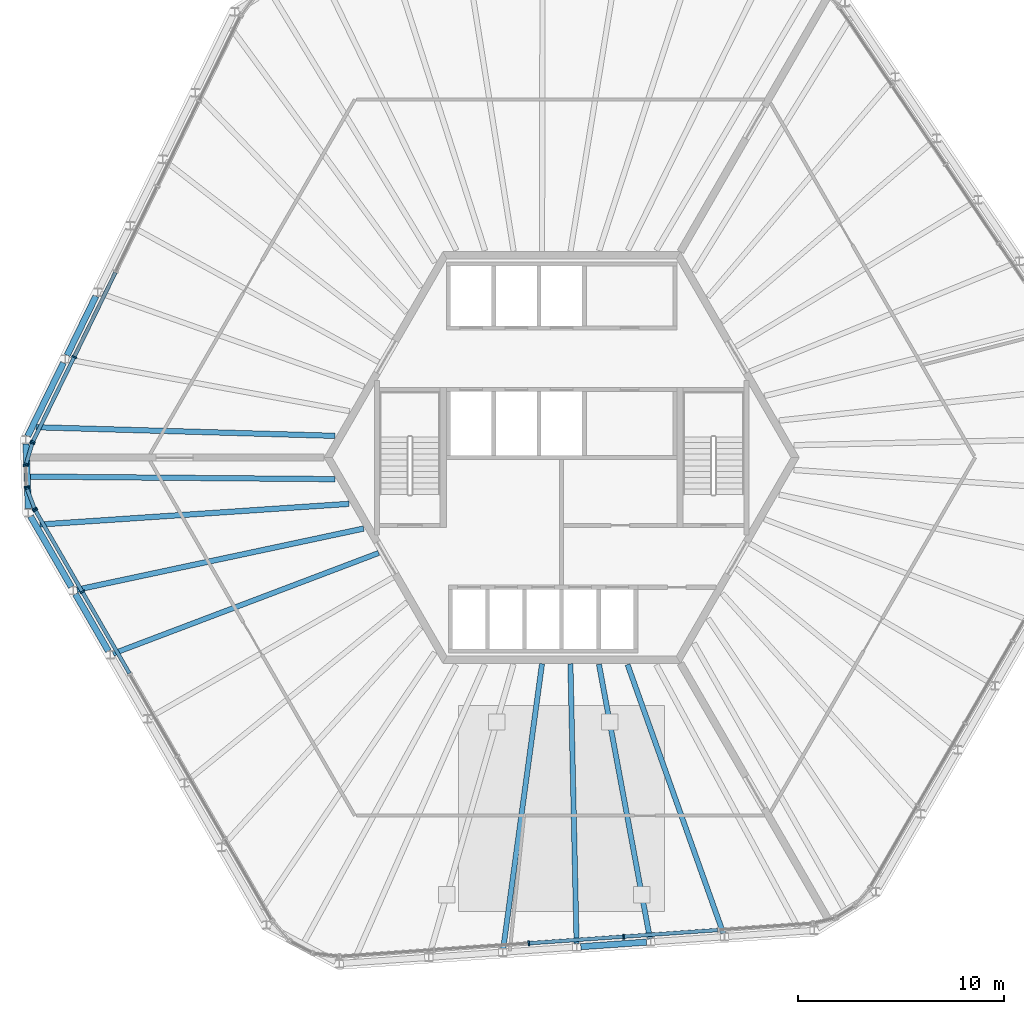
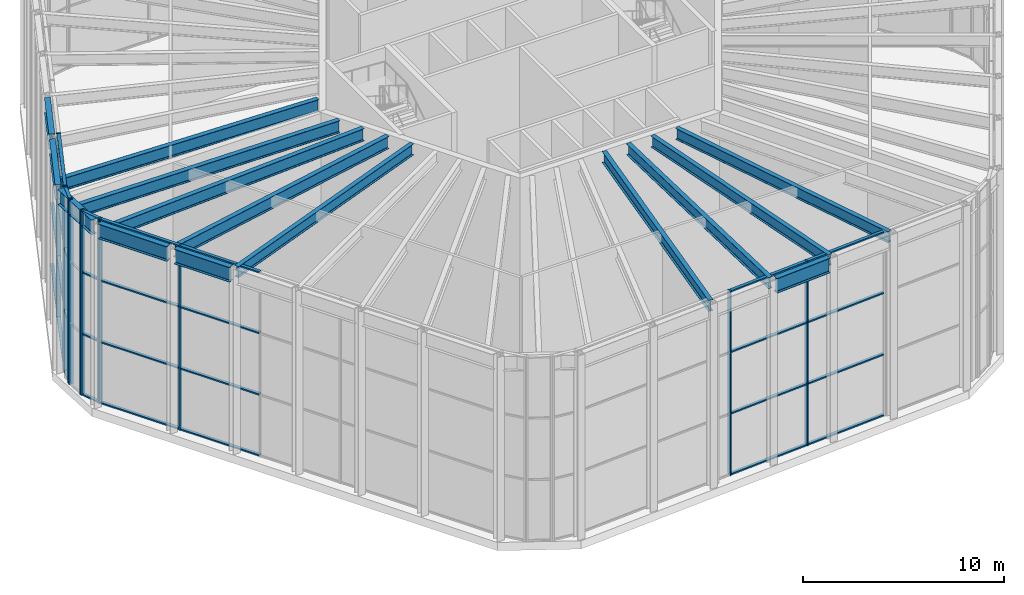
# One storey, part 3 of 17: 42 members, 15 beams, 6 elements without a shape of their own.
"""IFC4 building model written with IfcOpenShell, lengths in metres."""

from ifc_helpers import new_model, si_unit, direction, frame, origin, origin_2d, place, context, subcontext, project, spatial, rectangle, i_section, extrude, material, material_profile, profile_set, type_object, element, aggregate, save


model = new_model("IFC4")

# Units and contexts
model_context = context("Model", 3, precision=1e-05, world=origin(), true_north=direction((0.0, 1.0)))
body_context = subcontext(model_context, "Body", "Model", "MODEL_VIEW")
ifc_project = project(units=[si_unit("LENGTHUNIT", "METRE"), si_unit("AREAUNIT", "SQUARE_METRE"), si_unit("VOLUMEUNIT", "CUBIC_METRE"), si_unit("PLANEANGLEUNIT", "RADIAN"), si_unit("MASSUNIT", "GRAM", prefix="KILO")], contexts=[model_context])

# Site, building, storey
site_placement = place(None, origin())
site = spatial("IfcSite", under=ifc_project, at=site_placement, CompositionType="ELEMENT")
building_placement = place(site_placement, origin())
building = spatial("IfcBuilding", under=site, at=building_placement, Name="Tarnside Tower", CompositionType="ELEMENT")
storey_placement = place(building_placement, frame((0.0, 0.0, 376.800048828125)))
storey = spatial("IfcBuildingStorey", under=building, at=storey_placement, Name="L91", CompositionType="ELEMENT", Elevation=376.800048828125)

# Curtain wall, members
ifc_material_1 = material(Name="Damper hall glazing wall", Category="glass")
curtain_wall_type = type_object("IfcCurtainWallType", Name="Damper hall glazing wall", PredefinedType="NOTDEFINED", material=ifc_material_1)
curtain_wall_1_placement = place(storey_placement, origin())
curtain_wall_1 = element("IfcCurtainWall", 1, at=curtain_wall_1_placement, inside=storey, type_object=curtain_wall_type, Name="Damper hall glazing L91 12", PredefinedType="NOTDEFINED")
ifc_material_2 = material(Name="Aluminium alloy 6063", Category="aluminium")
ifc_material_profile_1 = material_profile(ifc_material_2, rectangle(XDim=0.239990234375, YDim=0.080078125, at=origin_2d()), Name="Damper hall glazing mullion 80 x 240")
ifc_profile_set_1 = profile_set([ifc_material_profile_1], Name="Aluminium alloy 6063")
member_type_1 = type_object("IfcMemberType", Name="Damper hall glazing mullion 80 x 240", PredefinedType="MULLION", material=ifc_profile_set_1)
member_1_placement = place(storey_placement, frame((3.008544921875, -23.27685546875, 0.0), z_axis=(0.0, 0.0, 1.0), x_axis=(0.069756473744, -0.99756405026, 0.0)))
member_1 = element("IfcMember", 2, at=member_1_placement, type_object=member_type_1, Name="CW5 mullion 3", PredefinedType="MULLION", context=body_context, shape_type="SweptSolid", body=[
    extrude(rectangle(XDim=0.239990234375, YDim=0.080078125, at=origin_2d()), origin(), (0.0, 0.0, 1.0), 11.199951171875),
])
member_2_placement = place(storey_placement, frame((-1.594482421875, -23.5986328125, 0.0), z_axis=(0.0, 0.0, 1.0), x_axis=(0.069756473744, -0.99756405026, 0.0)))
member_2 = element("IfcMember", 3, at=member_2_placement, type_object=member_type_1, Name="CW5 mullion 4", PredefinedType="MULLION", context=body_context, shape_type="SweptSolid", body=[
    extrude(rectangle(XDim=0.239990234375, YDim=0.080078125, at=origin_2d()), origin(), (0.0, 0.0, 1.0), 11.199951171875),
])

curtain_wall_2_placement = place(storey_placement, origin())
curtain_wall_2 = element("IfcCurtainWall", 4, at=curtain_wall_2_placement, inside=storey, type_object=curtain_wall_type, Name="Damper hall glazing L91 16", PredefinedType="NOTDEFINED")
member_3_placement = place(storey_placement, frame((-23.286865234375, -6.52587890625, 0.0), z_axis=(0.0, 0.0, 1.0), x_axis=(-0.866025403767, -0.50000000003, 0.0)))
member_3 = element("IfcMember", 5, at=member_3_placement, type_object=member_type_1, Name="CW5 mullion 5", PredefinedType="MULLION", context=body_context, shape_type="SweptSolid", body=[
    extrude(rectangle(XDim=0.239990234375, YDim=0.080078125, at=origin_2d()), origin(), (0.0, 0.0, 1.0), 11.199951171875),
])
member_4_placement = place(storey_placement, frame((-25.573974609375, -2.564453125, 0.0), z_axis=(0.0, 0.0, 1.0), x_axis=(-0.866025403767, -0.50000000003, 0.0)))
member_4 = element("IfcMember", 6, at=member_4_placement, type_object=member_type_1, Name="CW5 mullion 6", PredefinedType="MULLION", context=body_context, shape_type="SweptSolid", body=[
    extrude(rectangle(XDim=0.239990234375, YDim=0.080078125, at=origin_2d()), origin(), (0.0, 0.0, 1.0), 11.199951171875),
])

curtain_wall_3_placement = place(storey_placement, origin())
curtain_wall_3 = element("IfcCurtainWall", 7, at=curtain_wall_3_placement, inside=storey, type_object=curtain_wall_type, Name="Damper hall glazing L91 17", PredefinedType="NOTDEFINED")
member_5_placement = place(storey_placement, frame((-25.608154296875, -2.492431640625, 0.0), z_axis=(0.0, 0.0, 1.0), x_axis=(-0.935649515961, -0.352930564393, 0.0)))
member_5 = element("IfcMember", 8, at=member_5_placement, type_object=member_type_1, Name="CW5 mullion 1", PredefinedType="MULLION", context=body_context, shape_type="SweptSolid", body=[
    extrude(rectangle(XDim=0.239990234375, YDim=0.080078125, at=origin_2d()), origin(), (0.0, 0.0, 1.0), 11.199951171875),
])
member_6_placement = place(storey_placement, frame((-25.982177734375, -1.5009765625, 0.0), z_axis=(0.0, 0.0, 1.0), x_axis=(-0.935649515961, -0.352930564393, 0.0)))
member_6 = element("IfcMember", 9, at=member_6_placement, type_object=member_type_1, Name="CW5 mullion 2", PredefinedType="MULLION", context=body_context, shape_type="SweptSolid", body=[
    extrude(rectangle(XDim=0.239990234375, YDim=0.080078125, at=origin_2d()), origin(), (0.0, 0.0, 1.0), 11.199951171875),
])

curtain_wall_4_placement = place(storey_placement, origin())
curtain_wall_4 = element("IfcCurtainWall", 10, at=curtain_wall_4_placement, inside=storey, type_object=curtain_wall_type, Name="Damper hall glazing L91 18", PredefinedType="NOTDEFINED")
member_7_placement = place(storey_placement, frame((-25.99755859375, -1.423583984375, 0.0), z_axis=(0.0, 0.0, 1.0), x_axis=(-0.999390827014, -0.034899496842, 0.0)))
member_7 = element("IfcMember", 11, at=member_7_placement, type_object=member_type_1, Name="CW5 mullion 1", PredefinedType="MULLION", context=body_context, shape_type="SweptSolid", body=[
    extrude(rectangle(XDim=0.239990234375, YDim=0.080078125, at=origin_2d()), origin(), (0.0, 0.0, 1.0), 11.199951171875),
])
member_8_placement = place(storey_placement, frame((-26.033447265625, -0.393310546875, 0.0), z_axis=(0.0, 0.0, 1.0), x_axis=(-0.999390827014, -0.034899496842, 0.0)))
member_8 = element("IfcMember", 12, at=member_8_placement, type_object=member_type_1, Name="CW5 mullion 2", PredefinedType="MULLION", context=body_context, shape_type="SweptSolid", body=[
    extrude(rectangle(XDim=0.239990234375, YDim=0.080078125, at=origin_2d()), origin(), (0.0, 0.0, 1.0), 11.199951171875),
])
aggregate(curtain_wall_4, [member_7, member_8])

curtain_wall_5_placement = place(storey_placement, origin())
curtain_wall_5 = element("IfcCurtainWall", 13, at=curtain_wall_5_placement, inside=storey, type_object=curtain_wall_type, Name="Damper hall glazing L91 19", PredefinedType="NOTDEFINED")
member_9_placement = place(storey_placement, frame((-26.0234375, -0.31494140625, 0.0), z_axis=(0.0, 0.0, 1.0), x_axis=(-0.957989512314, 0.286803232717, 0.0)))
member_9 = element("IfcMember", 14, at=member_9_placement, type_object=member_type_1, Name="CW5 mullion 1", PredefinedType="MULLION", context=body_context, shape_type="SweptSolid", body=[
    extrude(rectangle(XDim=0.239990234375, YDim=0.080078125, at=origin_2d()), origin(), (0.0, 0.0, 1.0), 11.199951171875),
])
member_10_placement = place(storey_placement, frame((-25.719482421875, 0.7001953125, 0.0), z_axis=(0.0, 0.0, 1.0), x_axis=(-0.957989512314, 0.286803232717, 0.0)))
member_10 = element("IfcMember", 15, at=member_10_placement, type_object=member_type_1, Name="CW5 mullion 2", PredefinedType="MULLION", context=body_context, shape_type="SweptSolid", body=[
    extrude(rectangle(XDim=0.239990234375, YDim=0.080078125, at=origin_2d()), origin(), (0.0, 0.0, 1.0), 11.199951171875),
])

curtain_wall_6_placement = place(storey_placement, origin())
curtain_wall_6 = element("IfcCurtainWall", 16, at=curtain_wall_6_placement, inside=storey, type_object=curtain_wall_type, Name="Damper hall glazing L91 20", PredefinedType="NOTDEFINED")
member_11_placement = place(storey_placement, frame((-25.690673828125, 0.7744140625, 0.0), z_axis=(0.0, 0.0, 1.0), x_axis=(-0.898794046299, 0.438371146789, 0.0)))
member_11 = element("IfcMember", 17, at=member_11_placement, type_object=member_type_1, Name="CW5 mullion 1", PredefinedType="MULLION", context=body_context, shape_type="SweptSolid", body=[
    extrude(rectangle(XDim=0.239990234375, YDim=0.080078125, at=origin_2d()), origin(), (0.0, 0.0, 1.0), 11.199951171875),
])
member_12_placement = place(storey_placement, frame((-23.685302734375, 4.8857421875, 0.0), z_axis=(0.0, 0.0, 1.0), x_axis=(-0.898794046299, 0.438371146789, 0.0)))
member_12 = element("IfcMember", 18, at=member_12_placement, type_object=member_type_1, Name="CW5 mullion 2", PredefinedType="MULLION", context=body_context, shape_type="SweptSolid", body=[
    extrude(rectangle(XDim=0.239990234375, YDim=0.080078125, at=origin_2d()), origin(), (0.0, 0.0, 1.0), 11.199951171875),
])

# Member
ifc_material_profile_2 = material_profile(ifc_material_2, rectangle(XDim=0.179931640625, YDim=0.080078125, at=origin_2d()), Name="Damper hall glazing transom 80 x 180")
ifc_profile_set_2 = profile_set([ifc_material_profile_2], Name="Aluminium alloy 6063")
member_type_2 = type_object("IfcMemberType", Name="Damper hall glazing transom 80 x 180", PredefinedType="USERDEFINED", material=ifc_profile_set_2)
member_13_placement = place(storey_placement, frame((7.57177734375, -22.957763671875, 0.0400390625), z_axis=(-0.997566050815, -0.069727858574, 0.0), x_axis=(0.069727858574, -0.997566050815, 0.0)))
member_13 = element("IfcMember", 19, at=member_13_placement, type_object=member_type_2, Name="CW5 transom 2.1", ObjectType="TRANSOM", PredefinedType="USERDEFINED", context=body_context, shape_type="SweptSolid", body=[
    extrude(rectangle(XDim=0.179931640625, YDim=0.080078125, at=origin_2d()), origin(), (0.0, 0.0, 1.0), 4.5341796875),
])

member_14_placement = place(storey_placement, frame((7.57177734375, -22.957763671875, 3.733154296875), z_axis=(-0.997566050815, -0.069727858574, 0.0), x_axis=(0.069727858574, -0.997566050815, 0.0)))
member_14 = element("IfcMember", 20, at=member_14_placement, type_object=member_type_2, Name="CW5 transom 2.2", ObjectType="TRANSOM", PredefinedType="USERDEFINED", context=body_context, shape_type="SweptSolid", body=[
    extrude(rectangle(XDim=0.179931640625, YDim=0.080078125, at=origin_2d()), origin(), (0.0, 0.0, 1.0), 4.5341796875),
])

member_15_placement = place(storey_placement, frame((7.57177734375, -22.957763671875, 7.466552734375), z_axis=(-0.997566050815, -0.069727858574, 0.0), x_axis=(0.069727858574, -0.997566050815, 0.0)))
member_15 = element("IfcMember", 21, at=member_15_placement, type_object=member_type_2, Name="CW5 transom 2.3", ObjectType="TRANSOM", PredefinedType="USERDEFINED", context=body_context, shape_type="SweptSolid", body=[
    extrude(rectangle(XDim=0.179931640625, YDim=0.080078125, at=origin_2d()), origin(), (0.0, 0.0, 1.0), 4.5341796875),
])

member_16_placement = place(storey_placement, frame((7.57177734375, -22.957763671875, 11.159912109375), z_axis=(-0.997566050815, -0.069727858574, 0.0), x_axis=(0.069727858574, -0.997566050815, 0.0)))
member_16 = element("IfcMember", 22, at=member_16_placement, type_object=member_type_2, Name="CW5 transom 2.4", ObjectType="TRANSOM", PredefinedType="USERDEFINED", context=body_context, shape_type="SweptSolid", body=[
    extrude(rectangle(XDim=0.179931640625, YDim=0.080078125, at=origin_2d()), origin(), (0.0, 0.0, 1.0), 4.5341796875),
])

member_17_placement = place(storey_placement, frame((2.96875, -23.279541015625, 0.0400390625), z_axis=(-0.997562304108, -0.069781440391, 0.0), x_axis=(0.069781440391, -0.997562304108, 0.0)))
member_17 = element("IfcMember", 23, at=member_17_placement, type_object=member_type_2, Name="CW5 transom 3.1", ObjectType="TRANSOM", PredefinedType="USERDEFINED", context=body_context, shape_type="SweptSolid", body=[
    extrude(rectangle(XDim=0.179931640625, YDim=0.080078125, at=origin_2d()), origin(), (0.0, 0.0, 1.0), 4.5341796875),
])

member_18_placement = place(storey_placement, frame((2.96875, -23.279541015625, 3.733154296875), z_axis=(-0.997562304108, -0.069781440391, 0.0), x_axis=(0.069781440391, -0.997562304108, 0.0)))
member_18 = element("IfcMember", 24, at=member_18_placement, type_object=member_type_2, Name="CW5 transom 3.2", ObjectType="TRANSOM", PredefinedType="USERDEFINED", context=body_context, shape_type="SweptSolid", body=[
    extrude(rectangle(XDim=0.179931640625, YDim=0.080078125, at=origin_2d()), origin(), (0.0, 0.0, 1.0), 4.5341796875),
])

member_19_placement = place(storey_placement, frame((2.96875, -23.279541015625, 7.466552734375), z_axis=(-0.997562304108, -0.069781440391, 0.0), x_axis=(0.069781440391, -0.997562304108, 0.0)))
member_19 = element("IfcMember", 25, at=member_19_placement, type_object=member_type_2, Name="CW5 transom 3.3", ObjectType="TRANSOM", PredefinedType="USERDEFINED", context=body_context, shape_type="SweptSolid", body=[
    extrude(rectangle(XDim=0.179931640625, YDim=0.080078125, at=origin_2d()), origin(), (0.0, 0.0, 1.0), 4.5341796875),
])

member_20_placement = place(storey_placement, frame((2.96875, -23.279541015625, 11.159912109375), z_axis=(-0.997562304108, -0.069781440391, 0.0), x_axis=(0.069781440391, -0.997562304108, 0.0)))
member_20 = element("IfcMember", 26, at=member_20_placement, type_object=member_type_2, Name="CW5 transom 3.4", ObjectType="TRANSOM", PredefinedType="USERDEFINED", context=body_context, shape_type="SweptSolid", body=[
    extrude(rectangle(XDim=0.179931640625, YDim=0.080078125, at=origin_2d()), origin(), (0.0, 0.0, 1.0), 4.5341796875),
])

aggregate(curtain_wall_1, [member_1, member_2, member_13, member_14, member_15, member_16, member_17, member_18, member_19, member_20])

member_21_placement = place(storey_placement, frame((-20.999755859375, -10.4873046875, 0.0400390625), z_axis=(-0.499995891842, 0.866027775618, 0.0), x_axis=(-0.866027775618, -0.499995891842, 0.0)))
member_21 = element("IfcMember", 27, at=member_21_placement, type_object=member_type_2, Name="CW5 transom 4.1", ObjectType="TRANSOM", PredefinedType="USERDEFINED", context=body_context, shape_type="SweptSolid", body=[
    extrude(rectangle(XDim=0.179931640625, YDim=0.080078125, at=origin_2d()), origin(), (0.0, 0.0, 1.0), 4.5341796875),
])

member_22_placement = place(storey_placement, frame((-20.999755859375, -10.4873046875, 3.733154296875), z_axis=(-0.499995891842, 0.866027775618, 0.0), x_axis=(-0.866027775618, -0.499995891842, 0.0)))
member_22 = element("IfcMember", 28, at=member_22_placement, type_object=member_type_2, Name="CW5 transom 4.2", ObjectType="TRANSOM", PredefinedType="USERDEFINED", context=body_context, shape_type="SweptSolid", body=[
    extrude(rectangle(XDim=0.179931640625, YDim=0.080078125, at=origin_2d()), origin(), (0.0, 0.0, 1.0), 4.5341796875),
])

member_23_placement = place(storey_placement, frame((-20.999755859375, -10.4873046875, 7.466552734375), z_axis=(-0.499995891842, 0.866027775618, 0.0), x_axis=(-0.866027775618, -0.499995891842, 0.0)))
member_23 = element("IfcMember", 29, at=member_23_placement, type_object=member_type_2, Name="CW5 transom 4.3", ObjectType="TRANSOM", PredefinedType="USERDEFINED", context=body_context, shape_type="SweptSolid", body=[
    extrude(rectangle(XDim=0.179931640625, YDim=0.080078125, at=origin_2d()), origin(), (0.0, 0.0, 1.0), 4.5341796875),
])

member_24_placement = place(storey_placement, frame((-20.999755859375, -10.4873046875, 11.159912109375), z_axis=(-0.499995891842, 0.866027775618, 0.0), x_axis=(-0.866027775618, -0.499995891842, 0.0)))
member_24 = element("IfcMember", 30, at=member_24_placement, type_object=member_type_2, Name="CW5 transom 4.4", ObjectType="TRANSOM", PredefinedType="USERDEFINED", context=body_context, shape_type="SweptSolid", body=[
    extrude(rectangle(XDim=0.179931640625, YDim=0.080078125, at=origin_2d()), origin(), (0.0, 0.0, 1.0), 4.5341796875),
])

member_25_placement = place(storey_placement, frame((-23.306884765625, -6.4912109375, 0.0400390625), z_axis=(-0.499995192696, 0.866028179265, 0.0), x_axis=(-0.866028179265, -0.499995192696, 0.0)))
member_25 = element("IfcMember", 31, at=member_25_placement, type_object=member_type_2, Name="CW5 transom 5.1", ObjectType="TRANSOM", PredefinedType="USERDEFINED", context=body_context, shape_type="SweptSolid", body=[
    extrude(rectangle(XDim=0.179931640625, YDim=0.080078125, at=origin_2d()), origin(), (0.0, 0.0, 1.0), 4.494140625),
])

member_26_placement = place(storey_placement, frame((-23.306884765625, -6.4912109375, 3.733154296875), z_axis=(-0.499995192696, 0.866028179265, 0.0), x_axis=(-0.866028179265, -0.499995192696, 0.0)))
member_26 = element("IfcMember", 32, at=member_26_placement, type_object=member_type_2, Name="CW5 transom 5.2", ObjectType="TRANSOM", PredefinedType="USERDEFINED", context=body_context, shape_type="SweptSolid", body=[
    extrude(rectangle(XDim=0.179931640625, YDim=0.080078125, at=origin_2d()), origin(), (0.0, 0.0, 1.0), 4.494140625),
])

member_27_placement = place(storey_placement, frame((-23.306884765625, -6.4912109375, 7.466552734375), z_axis=(-0.499995192696, 0.866028179265, 0.0), x_axis=(-0.866028179265, -0.499995192696, 0.0)))
member_27 = element("IfcMember", 33, at=member_27_placement, type_object=member_type_2, Name="CW5 transom 5.3", ObjectType="TRANSOM", PredefinedType="USERDEFINED", context=body_context, shape_type="SweptSolid", body=[
    extrude(rectangle(XDim=0.179931640625, YDim=0.080078125, at=origin_2d()), origin(), (0.0, 0.0, 1.0), 4.494140625),
])

member_28_placement = place(storey_placement, frame((-23.306884765625, -6.4912109375, 11.159912109375), z_axis=(-0.499995192696, 0.866028179265, 0.0), x_axis=(-0.866028179265, -0.499995192696, 0.0)))
member_28 = element("IfcMember", 34, at=member_28_placement, type_object=member_type_2, Name="CW5 transom 5.4", ObjectType="TRANSOM", PredefinedType="USERDEFINED", context=body_context, shape_type="SweptSolid", body=[
    extrude(rectangle(XDim=0.179931640625, YDim=0.080078125, at=origin_2d()), origin(), (0.0, 0.0, 1.0), 4.494140625),
])

aggregate(curtain_wall_2, [member_3, member_4, member_21, member_22, member_23, member_24, member_25, member_26, member_27, member_28])

member_29_placement = place(storey_placement, frame((-25.622314453125, -2.455078125, 0.0400390625), z_axis=(-0.352925521589, 0.93565141811, 0.0), x_axis=(-0.93565141811, -0.352925521589, 0.0)))
member_29 = element("IfcMember", 35, at=member_29_placement, type_object=member_type_2, Name="CW5 transom 1.1", ObjectType="TRANSOM", PredefinedType="USERDEFINED", context=body_context, shape_type="SweptSolid", body=[
    extrude(rectangle(XDim=0.179931640625, YDim=0.080078125, at=origin_2d()), origin(), (0.0, 0.0, 1.0), 0.9794921875),
])

member_30_placement = place(storey_placement, frame((-25.622314453125, -2.455078125, 3.733154296875), z_axis=(-0.352925521589, 0.93565141811, 0.0), x_axis=(-0.93565141811, -0.352925521589, 0.0)))
member_30 = element("IfcMember", 36, at=member_30_placement, type_object=member_type_2, Name="CW5 transom 1.2", ObjectType="TRANSOM", PredefinedType="USERDEFINED", context=body_context, shape_type="SweptSolid", body=[
    extrude(rectangle(XDim=0.179931640625, YDim=0.080078125, at=origin_2d()), origin(), (0.0, 0.0, 1.0), 0.9794921875),
])

member_31_placement = place(storey_placement, frame((-25.622314453125, -2.455078125, 7.466552734375), z_axis=(-0.352925521589, 0.93565141811, 0.0), x_axis=(-0.93565141811, -0.352925521589, 0.0)))
member_31 = element("IfcMember", 37, at=member_31_placement, type_object=member_type_2, Name="CW5 transom 1.3", ObjectType="TRANSOM", PredefinedType="USERDEFINED", context=body_context, shape_type="SweptSolid", body=[
    extrude(rectangle(XDim=0.179931640625, YDim=0.080078125, at=origin_2d()), origin(), (0.0, 0.0, 1.0), 0.9794921875),
])

member_32_placement = place(storey_placement, frame((-25.622314453125, -2.455078125, 11.159912109375), z_axis=(-0.352925521589, 0.93565141811, 0.0), x_axis=(-0.93565141811, -0.352925521589, 0.0)))
member_32 = element("IfcMember", 38, at=member_32_placement, type_object=member_type_2, Name="CW5 transom 1.4", ObjectType="TRANSOM", PredefinedType="USERDEFINED", context=body_context, shape_type="SweptSolid", body=[
    extrude(rectangle(XDim=0.179931640625, YDim=0.080078125, at=origin_2d()), origin(), (0.0, 0.0, 1.0), 0.9794921875),
])

aggregate(curtain_wall_3, [member_5, member_6, member_29, member_30, member_31, member_32])

member_33_placement = place(storey_placement, frame((-26.011962890625, -0.276611328125, 0.0400390625), z_axis=(0.286844846031, 0.957977053121, 0.0), x_axis=(-0.957977053121, 0.286844846031, 0.0)))
member_33 = element("IfcMember", 39, at=member_33_placement, type_object=member_type_2, Name="CW5 transom 1.1", ObjectType="TRANSOM", PredefinedType="USERDEFINED", context=body_context, shape_type="SweptSolid", body=[
    extrude(rectangle(XDim=0.179931640625, YDim=0.080078125, at=origin_2d()), origin(), (0.0, 0.0, 1.0), 0.979736328125),
])

member_34_placement = place(storey_placement, frame((-26.011962890625, -0.276611328125, 3.733154296875), z_axis=(0.286844846031, 0.957977053121, 0.0), x_axis=(-0.957977053121, 0.286844846031, 0.0)))
member_34 = element("IfcMember", 40, at=member_34_placement, type_object=member_type_2, Name="CW5 transom 1.2", ObjectType="TRANSOM", PredefinedType="USERDEFINED", context=body_context, shape_type="SweptSolid", body=[
    extrude(rectangle(XDim=0.179931640625, YDim=0.080078125, at=origin_2d()), origin(), (0.0, 0.0, 1.0), 0.979736328125),
])

member_35_placement = place(storey_placement, frame((-26.011962890625, -0.276611328125, 7.466552734375), z_axis=(0.286844846031, 0.957977053121, 0.0), x_axis=(-0.957977053121, 0.286844846031, 0.0)))
member_35 = element("IfcMember", 41, at=member_35_placement, type_object=member_type_2, Name="CW5 transom 1.3", ObjectType="TRANSOM", PredefinedType="USERDEFINED", context=body_context, shape_type="SweptSolid", body=[
    extrude(rectangle(XDim=0.179931640625, YDim=0.080078125, at=origin_2d()), origin(), (0.0, 0.0, 1.0), 0.979736328125),
])

member_36_placement = place(storey_placement, frame((-26.011962890625, -0.276611328125, 11.159912109375), z_axis=(0.286844846031, 0.957977053121, 0.0), x_axis=(-0.957977053121, 0.286844846031, 0.0)))
member_36 = element("IfcMember", 42, at=member_36_placement, type_object=member_type_2, Name="CW5 transom 1.4", ObjectType="TRANSOM", PredefinedType="USERDEFINED", context=body_context, shape_type="SweptSolid", body=[
    extrude(rectangle(XDim=0.179931640625, YDim=0.080078125, at=origin_2d()), origin(), (0.0, 0.0, 1.0), 0.979736328125),
])

aggregate(curtain_wall_5, [member_9, member_10, member_33, member_34, member_35, member_36])

member_37_placement = place(storey_placement, frame((-25.673095703125, 0.810302734375, 0.0400390625), z_axis=(0.438391523121, 0.898784107812, 0.0), x_axis=(-0.898784107812, 0.438391523121, 0.0)))
member_37 = element("IfcMember", 43, at=member_37_placement, type_object=member_type_2, Name="CW5 transom 1.1", ObjectType="TRANSOM", PredefinedType="USERDEFINED", context=body_context, shape_type="SweptSolid", body=[
    extrude(rectangle(XDim=0.179931640625, YDim=0.080078125, at=origin_2d()), origin(), (0.0, 0.0, 1.0), 4.494140625),
])

member_38_placement = place(storey_placement, frame((-25.673095703125, 0.810302734375, 3.733154296875), z_axis=(0.438391523121, 0.898784107812, 0.0), x_axis=(-0.898784107812, 0.438391523121, 0.0)))
member_38 = element("IfcMember", 44, at=member_38_placement, type_object=member_type_2, Name="CW5 transom 1.2", ObjectType="TRANSOM", PredefinedType="USERDEFINED", context=body_context, shape_type="SweptSolid", body=[
    extrude(rectangle(XDim=0.179931640625, YDim=0.080078125, at=origin_2d()), origin(), (0.0, 0.0, 1.0), 4.494140625),
])

member_39_placement = place(storey_placement, frame((-25.673095703125, 0.810302734375, 7.466552734375), z_axis=(0.438391523121, 0.898784107812, 0.0), x_axis=(-0.898784107812, 0.438391523121, 0.0)))
member_39 = element("IfcMember", 45, at=member_39_placement, type_object=member_type_2, Name="CW5 transom 1.3", ObjectType="TRANSOM", PredefinedType="USERDEFINED", context=body_context, shape_type="SweptSolid", body=[
    extrude(rectangle(XDim=0.179931640625, YDim=0.080078125, at=origin_2d()), origin(), (0.0, 0.0, 1.0), 4.494140625),
])

member_40_placement = place(storey_placement, frame((-25.673095703125, 0.810302734375, 11.159912109375), z_axis=(0.438391523121, 0.898784107812, 0.0), x_axis=(-0.898784107812, 0.438391523121, 0.0)))
member_40 = element("IfcMember", 46, at=member_40_placement, type_object=member_type_2, Name="CW5 transom 1.4", ObjectType="TRANSOM", PredefinedType="USERDEFINED", context=body_context, shape_type="SweptSolid", body=[
    extrude(rectangle(XDim=0.179931640625, YDim=0.080078125, at=origin_2d()), origin(), (0.0, 0.0, 1.0), 4.494140625),
])

member_41_placement = place(storey_placement, frame((-23.667724609375, 4.921630859375, 0.0400390625), z_axis=(0.438339824708, 0.898809322423, 0.0), x_axis=(-0.898809322423, 0.438339824708, 0.0)))
member_41 = element("IfcMember", 47, at=member_41_placement, type_object=member_type_2, Name="CW5 transom 2.1", ObjectType="TRANSOM", PredefinedType="USERDEFINED", context=body_context, shape_type="SweptSolid", body=[
    extrude(rectangle(XDim=0.179931640625, YDim=0.080078125, at=origin_2d()), origin(), (0.0, 0.0, 1.0), 4.5341796875),
])

member_42_placement = place(storey_placement, frame((-23.667724609375, 4.921630859375, 3.733154296875), z_axis=(0.438339824708, 0.898809322423, 0.0), x_axis=(-0.898809322423, 0.438339824708, 0.0)))
member_42 = element("IfcMember", 48, at=member_42_placement, type_object=member_type_2, Name="CW5 transom 2.2", ObjectType="TRANSOM", PredefinedType="USERDEFINED", context=body_context, shape_type="SweptSolid", body=[
    extrude(rectangle(XDim=0.179931640625, YDim=0.080078125, at=origin_2d()), origin(), (0.0, 0.0, 1.0), 4.5341796875),
])

aggregate(curtain_wall_6, [member_11, member_12, member_37, member_38, member_39, member_40, member_41, member_42])

# Beams
ifc_material_3 = material(Name="Steel S355", Category="steel")
ifc_material_profile_3 = material_profile(ifc_material_3, i_section(OverallWidth=0.2529296875, OverallDepth=0.677978515625, WebThickness=0.01171875, FlangeThickness=0.01611328125, FilletRadius=0.01513671875, at=origin_2d()), Name="UB 686x254x125")
ifc_profile_set_3 = profile_set([ifc_material_profile_3], Name="Steel S355")
beam_type_1 = type_object("IfcBeamType", Name="Floor beam UB 686x254x125", PredefinedType="BEAM", material=ifc_profile_set_3)
beam_1_placement = place(storey_placement, frame((-21.79150390625, -9.5263671875, 10.861083984375), z_axis=(0.935098673029, 0.354387459852, 0.0), x_axis=(-0.354387459852, 0.935098673029, 0.0)))
element("IfcBeam", 49, at=beam_1_placement, inside=storey, type_object=beam_type_1, Name="Floor beam F3.03", PredefinedType="BEAM", context=body_context, shape_type="SweptSolid", body=[
    extrude(i_section(OverallWidth=0.2529296875, OverallDepth=0.677978515625, WebThickness=0.01171875, FlangeThickness=0.01611328125, FilletRadius=0.01513671875, at=origin_2d()), origin(), (0.0, 0.0, 1.0), 13.794677734375),
])
beam_2_placement = place(storey_placement, frame((-2.840087890625, -23.8720703125, 10.861083984375), z_axis=(0.134905128148, 0.99085851987, 0.0), x_axis=(-0.99085851987, 0.134905128148, 0.0)))
element("IfcBeam", 50, at=beam_2_placement, inside=storey, type_object=beam_type_1, Name="Floor beam F4.03", PredefinedType="BEAM", context=body_context, shape_type="SweptSolid", body=[
    extrude(i_section(OverallWidth=0.2529296875, OverallDepth=0.677978515625, WebThickness=0.01171875, FlangeThickness=0.01611328125, FilletRadius=0.01513671875, at=origin_2d()), origin(), (0.0, 0.0, 1.0), 13.97998046875),
])
beam_3_placement = place(storey_placement, frame((0.72607421875, -23.64208984375, 10.861083984375), z_axis=(-0.021967598853, 0.999758683183, 0.0), x_axis=(-0.999758683183, -0.021967598853, 0.0)))
element("IfcBeam", 51, at=beam_3_placement, inside=storey, type_object=beam_type_1, Name="Floor beam F4.04", PredefinedType="BEAM", context=body_context, shape_type="SweptSolid", body=[
    extrude(i_section(OverallWidth=0.2529296875, OverallDepth=0.677978515625, WebThickness=0.01171875, FlangeThickness=0.01611328125, FilletRadius=0.01513671875, at=origin_2d()), origin(), (0.0, 0.0, 1.0), 13.625244140625),
])
beam_4_placement = place(storey_placement, frame((4.294677734375, -23.392578125, 10.861083984375), z_axis=(-0.182841653526, 0.983142375109, 0.0), x_axis=(-0.983142375109, -0.182841653526, 0.0)))
element("IfcBeam", 52, at=beam_4_placement, inside=storey, type_object=beam_type_1, Name="Floor beam F4.05", PredefinedType="BEAM", context=body_context, shape_type="SweptSolid", body=[
    extrude(i_section(OverallWidth=0.2529296875, OverallDepth=0.677978515625, WebThickness=0.01171875, FlangeThickness=0.01611328125, FilletRadius=0.01513671875, at=origin_2d()), origin(), (0.0, 0.0, 1.0), 13.582275390625),
])
beam_5_placement = place(storey_placement, frame((7.8564453125, -23.124755859375, 10.861083984375), z_axis=(-0.335522423289, 0.942032219975, 0.0), x_axis=(-0.942032219975, -0.335522423289, 0.0)))
element("IfcBeam", 53, at=beam_5_placement, inside=storey, type_object=beam_type_1, Name="Floor beam F4.06", PredefinedType="BEAM", context=body_context, shape_type="SweptSolid", body=[
    extrude(i_section(OverallWidth=0.2529296875, OverallDepth=0.677978515625, WebThickness=0.01171875, FlangeThickness=0.01611328125, FilletRadius=0.01513671875, at=origin_2d()), origin(), (0.0, 0.0, 1.0), 13.87255859375),
])
ifc_material_profile_4 = material_profile(ifc_material_3, i_section(OverallWidth=0.26513671875, OverallDepth=0.75390625, WebThickness=0.0126953125, FlangeThickness=0.017578125, FilletRadius=0.0166015625, at=origin_2d()), Name="UB 762x267x147")
ifc_profile_set_4 = profile_set([ifc_material_profile_4], Name="Steel S355")
beam_type_2 = type_object("IfcBeamType", Name="Floor beam UB 762x267x147", PredefinedType="BEAM", material=ifc_profile_set_4)
beam_6_placement = place(storey_placement, frame((-25.53955078125, 1.47265625, 10.822998046875), z_axis=(0.999583985557, -0.028841910802, 0.0), x_axis=(0.028841910802, 0.999583985557, 0.0)))
element("IfcBeam", 54, at=beam_6_placement, inside=storey, type_object=beam_type_2, Name="Floor beam F2.07", PredefinedType="BEAM", context=body_context, shape_type="SweptSolid", body=[
    extrude(i_section(OverallWidth=0.26513671875, OverallDepth=0.75390625, WebThickness=0.0126953125, FlangeThickness=0.017578125, FilletRadius=0.0166015625, at=origin_2d()), origin(), (0.0, 0.0, 1.0), 14.525634765625),
])
beam_7_placement = place(storey_placement, frame((-25.827880859375, -0.925048828125, 10.822998046875), z_axis=(0.999964093897, -0.008474132265, 0.0), x_axis=(0.008474132265, 0.999964093897, 0.0)))
element("IfcBeam", 55, at=beam_7_placement, inside=storey, type_object=beam_type_2, Name="Floor beam C2", PredefinedType="BEAM", context=body_context, shape_type="SweptSolid", body=[
    extrude(i_section(OverallWidth=0.26513671875, OverallDepth=0.75390625, WebThickness=0.0126953125, FlangeThickness=0.017578125, FilletRadius=0.0166015625, at=origin_2d()), origin(), (0.0, 0.0, 1.0), 14.808349609375),
])
beam_8_placement = place(storey_placement, frame((-25.352294921875, -3.255126953125, 10.822998046875), z_axis=(0.997767686988, 0.066780557073, 0.0), x_axis=(-0.066780557073, 0.997767686988, 0.0)))
element("IfcBeam", 56, at=beam_8_placement, inside=storey, type_object=beam_type_2, Name="Floor beam F3.01", PredefinedType="BEAM", context=body_context, shape_type="SweptSolid", body=[
    extrude(i_section(OverallWidth=0.26513671875, OverallDepth=0.75390625, WebThickness=0.0126953125, FlangeThickness=0.017578125, FilletRadius=0.0166015625, at=origin_2d()), origin(), (0.0, 0.0, 1.0), 15.054931640625),
])
beam_9_placement = place(storey_placement, frame((-23.5419921875, -6.420166015625, 10.822998046875), z_axis=(0.977990269865, 0.208650502155, 0.0), x_axis=(-0.208650502155, 0.977990269865, 0.0)))
element("IfcBeam", 57, at=beam_9_placement, inside=storey, type_object=beam_type_2, Name="Floor beam F3.02", PredefinedType="BEAM", context=body_context, shape_type="SweptSolid", body=[
    extrude(i_section(OverallWidth=0.26513671875, OverallDepth=0.75390625, WebThickness=0.0126953125, FlangeThickness=0.017578125, FilletRadius=0.0166015625, at=origin_2d()), origin(), (0.0, 0.0, 1.0), 14.234130859375),
])
ifc_material_profile_5 = material_profile(ifc_material_3, i_section(OverallWidth=0.30322265625, OverallDepth=0.903076171875, WebThickness=0.01513671875, FlangeThickness=0.020263671875, FilletRadius=0.01904296875, at=origin_2d()), Name="UB 914x305x201")
ifc_profile_set_5 = profile_set([ifc_material_profile_5], Name="Steel S355")
beam_type_3 = type_object("IfcBeamType", Name="Perimeter girder UB 914x305x201", PredefinedType="BEAM", material=ifc_profile_set_5)
beam_10_placement = place(storey_placement, frame((-22.626953125, 7.8427734375, 10.74853515625), z_axis=(-0.438363445215, -0.898797802567, 0.0), x_axis=(0.898797802567, -0.438363445215, 0.0)))
element("IfcBeam", 58, at=beam_10_placement, inside=storey, type_object=beam_type_3, Name="Perimeter girder R12", PredefinedType="BEAM", context=body_context, shape_type="SweptSolid", body=[
    extrude(i_section(OverallWidth=0.30322265625, OverallDepth=0.903076171875, WebThickness=0.01513671875, FlangeThickness=0.020263671875, FilletRadius=0.01904296875, at=origin_2d()), origin(), (0.0, 0.0, 1.0), 3.19677734375),
])
beam_11_placement = place(storey_placement, frame((-24.205078125, 4.607177734375, 10.74853515625), z_axis=(-0.438344732327, -0.898806929012, 0.0), x_axis=(0.898806929012, -0.438344732327, 0.0)))
element("IfcBeam", 59, at=beam_11_placement, inside=storey, type_object=beam_type_3, Name="Perimeter girder R13", PredefinedType="BEAM", context=body_context, shape_type="SweptSolid", body=[
    extrude(i_section(OverallWidth=0.30322265625, OverallDepth=0.903076171875, WebThickness=0.01513671875, FlangeThickness=0.020263671875, FilletRadius=0.01904296875, at=origin_2d()), origin(), (0.0, 0.0, 1.0), 3.962890625),
])
beam_12_placement = place(storey_placement, frame((-26.0234375, 0.662841796875, 10.74853515625), z_axis=(0.034895912398, -0.999390952179, 0.0), x_axis=(0.999390952179, 0.034895912398, 0.0)))
element("IfcBeam", 60, at=beam_12_placement, inside=storey, type_object=beam_type_3, Name="Perimeter girder R14", PredefinedType="BEAM", context=body_context, shape_type="SweptSolid", body=[
    extrude(i_section(OverallWidth=0.30322265625, OverallDepth=0.903076171875, WebThickness=0.01513671875, FlangeThickness=0.020263671875, FilletRadius=0.01904296875, at=origin_2d()), origin(), (0.0, 0.0, 1.0), 3.141357421875),
])
beam_13_placement = place(storey_placement, frame((-25.80615234375, -2.8525390625, 10.74853515625), z_axis=(0.500008652755, -0.866020408056, 0.0), x_axis=(0.866020408056, 0.500008652755, 0.0)))
element("IfcBeam", 61, at=beam_13_placement, inside=storey, type_object=beam_type_3, Name="Perimeter girder R15", PredefinedType="BEAM", context=body_context, shape_type="SweptSolid", body=[
    extrude(i_section(OverallWidth=0.30322265625, OverallDepth=0.903076171875, WebThickness=0.01513671875, FlangeThickness=0.020263671875, FilletRadius=0.01904296875, at=origin_2d()), origin(), (0.0, 0.0, 1.0), 3.962890625),
])
beam_14_placement = place(storey_placement, frame((-23.623291015625, -6.63330078125, 10.74853515625), z_axis=(0.500015497334, -0.86601645621, 0.0), x_axis=(0.86601645621, 0.500015497334, 0.0)))
element("IfcBeam", 62, at=beam_14_placement, inside=storey, type_object=beam_type_3, Name="Perimeter girder R16", PredefinedType="BEAM", context=body_context, shape_type="SweptSolid", body=[
    extrude(i_section(OverallWidth=0.30322265625, OverallDepth=0.903076171875, WebThickness=0.01513671875, FlangeThickness=0.020263671875, FilletRadius=0.01904296875, at=origin_2d()), origin(), (0.0, 0.0, 1.0), 3.197265625),
])
beam_15_placement = place(storey_placement, frame((0.93017578125, -23.76806640625, 10.74853515625), z_axis=(0.997561147655, 0.069797970524, 0.0), x_axis=(-0.069797970524, 0.997561147655, 0.0)))
element("IfcBeam", 63, at=beam_15_placement, inside=storey, type_object=beam_type_3, Name="Perimeter girder R25", PredefinedType="BEAM", context=body_context, shape_type="SweptSolid", body=[
    extrude(i_section(OverallWidth=0.30322265625, OverallDepth=0.903076171875, WebThickness=0.01513671875, FlangeThickness=0.020263671875, FilletRadius=0.01904296875, at=origin_2d()), origin(), (0.0, 0.0, 1.0), 3.197021484375),
])

save(model, "model.ifc")
